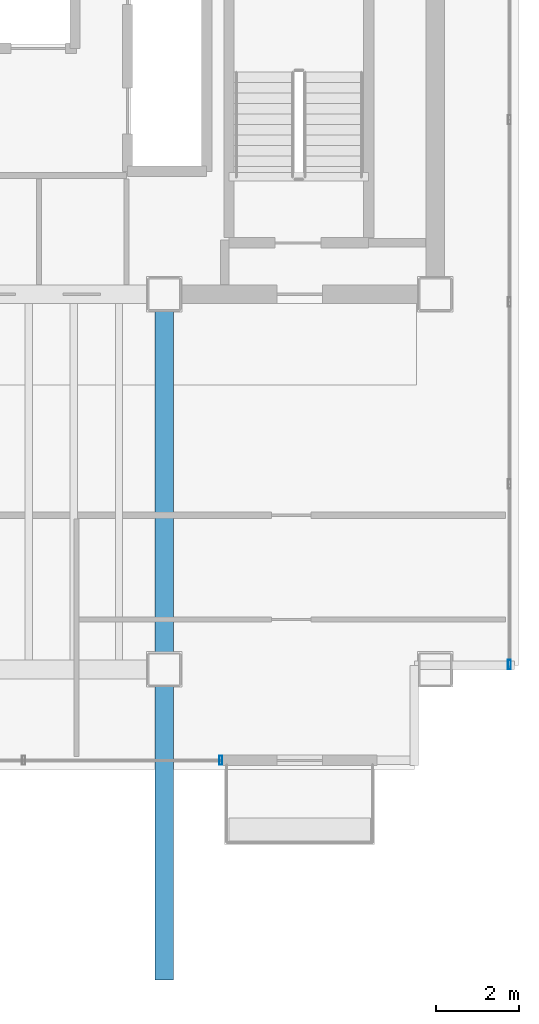
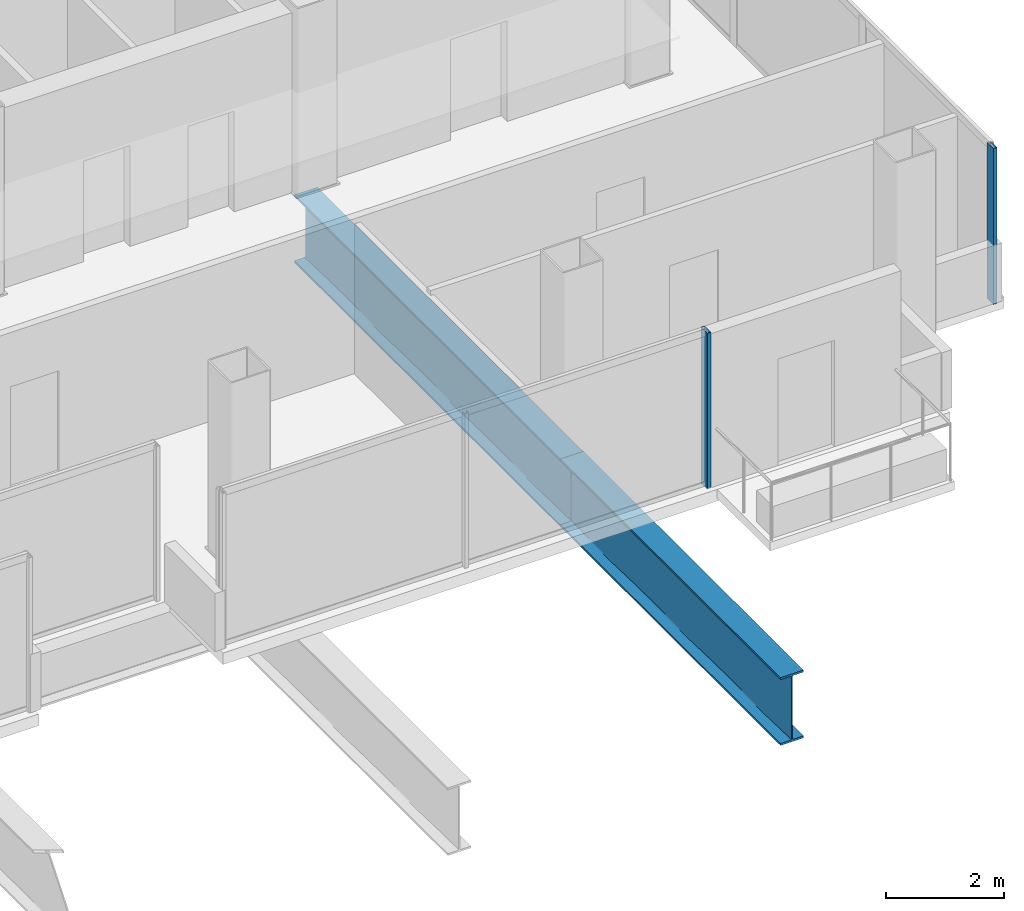
# One storey, part 12 of 19: 2 beams, 2 members, 2 elements without a shape of their own.
"""IFC4 building model written with IfcOpenShell, lengths in metres."""

import ifcopenshell
import ifcopenshell.guid

model = None  # the IFC model being written
_history = None  # IfcOwnerHistory: only IFC2X3 demands one
_inside = {}  # id of a spatial element -> (the spatial element, [elements in it])
_under = {}  # id of a project, library or spatial element -> (it, [spatial elements below it])
_declared = {}  # id of a project -> (the project, [libraries it declares])
_typed = {}  # id of a type object -> (the type object, [elements of that type])
_made_of = {}  # id of a material, layer set ... -> (it, [elements and type objects made of it])


def new_model(schema):
    """Start an empty IFC model of exactly this schema.

    Asked for "IFC4X3", IfcOpenShell would pick the latest addendum, in which some entities
    have other attributes; the version numbers below select the first issue.
    IFC2X3 requires an IfcOwnerHistory on every rooted entity: one is made here for all.
    """
    global model, _history
    if schema == "IFC4X3":
        model = ifcopenshell.file(schema_version=(4, 3, 0, 0))
    else:
        model = ifcopenshell.file(schema=schema)
    _inside.clear()
    _under.clear()
    _declared.clear()
    _typed.clear()
    _made_of.clear()
    _history = None
    if model.schema == "IFC2X3":
        org = make("IfcOrganization", Name="unknown")
        user = make(
            "IfcPersonAndOrganization",
            ThePerson=make("IfcPerson", FamilyName="unknown"),
            TheOrganization=org,
        )
        app = make(
            "IfcApplication",
            ApplicationDeveloper=org,
            Version="unknown",
            ApplicationFullName="unknown",
            ApplicationIdentifier="unknown",
        )
        _history = make(
            "IfcOwnerHistory",
            OwningUser=user,
            OwningApplication=app,
            ChangeAction="ADDED",
            CreationDate=0,
        )
    return model


def make(cls, **values):
    """One entity of the class cls with the attributes given. An attribute that is None is left unset."""
    return model.create_entity(
        cls, **{name: value for name, value in values.items() if value is not None}
    )


def rooted(cls, **values):
    """An entity with a GlobalId (a new one), such as an element, a storey or a relation."""
    return make(cls, GlobalId=ifcopenshell.guid.new(), OwnerHistory=_history, **values)


def si_unit(unit_type, name, prefix=None):
    """IfcSIUnit, for example si_unit("LENGTHUNIT", "METRE", prefix="MILLI")."""
    return make("IfcSIUnit", UnitType=unit_type, Prefix=prefix, Name=name)


def assignment(units):
    """IfcUnitAssignment: the units of a project."""
    return None if units is None else make("IfcUnitAssignment", Units=units)


def point(xyz):
    """IfcCartesianPoint."""
    return None if xyz is None else make("IfcCartesianPoint", Coordinates=xyz)


def direction(xyz):
    """IfcDirection."""
    return None if xyz is None else make("IfcDirection", DirectionRatios=xyz)


def frame(location, z_axis=None, x_axis=None):
    """IfcAxis2Placement3D, a coordinate frame: its origin and axes. An axis left out is left unset."""
    return make(
        "IfcAxis2Placement3D",
        Location=point(location),
        Axis=direction(z_axis),
        RefDirection=direction(x_axis),
    )


def frame_2d(location, x_axis=None):
    """IfcAxis2Placement2D, a coordinate frame in the plane: its origin and x axis."""
    return make(
        "IfcAxis2Placement2D", Location=point(location), RefDirection=direction(x_axis)
    )


def origin():
    """The frame at (0, 0, 0) with its axes left unset."""
    return frame((0.0, 0.0, 0.0))


def origin_2d():
    """The frame at (0, 0) in the plane with its x axis left unset."""
    return frame_2d((0.0, 0.0))


def place(relative_to, where):
    """IfcLocalPlacement: puts the frame where relative to a parent placement (None: the world)."""
    return make(
        "IfcLocalPlacement", PlacementRelTo=relative_to, RelativePlacement=where
    )


def context(
    kind, dimensions, precision=None, world=None, true_north=None, identifier=None
):
    """IfcGeometricRepresentationContext, for example the 3D "Model" context."""
    return make(
        "IfcGeometricRepresentationContext",
        ContextIdentifier=identifier,
        ContextType=kind,
        CoordinateSpaceDimension=dimensions,
        Precision=precision,
        WorldCoordinateSystem=world,
        TrueNorth=true_north,
    )


def subcontext(parent, identifier, kind, view, scale=None):
    """IfcGeometricRepresentationSubContext, for example "Body" below "Model"."""
    return make(
        "IfcGeometricRepresentationSubContext",
        ContextIdentifier=identifier,
        ContextType=kind,
        ParentContext=parent,
        TargetScale=scale,
        TargetView=view,
    )


def project(units=None, contexts=None):
    """IfcProject with its units and contexts."""
    return rooted(
        "IfcProject",
        Name="project",
        RepresentationContexts=contexts,
        UnitsInContext=assignment(units),
    )


def spatial(cls, under=None, at=None, **own):
    """A site, building, storey or space (cls), placed at a placement, below another one or the project."""
    s = rooted(cls, ObjectPlacement=at, **own)
    if under is not None:
        _under.setdefault(under.id(), (under, []))[1].append(s)
    return s


def profile(cls, at=None, kind="AREA", **sizes):
    """A parametric profile (cls). Its sizes go by their IFC names, for example OverallWidth=200.0."""
    return make(cls, ProfileType=kind, Position=at, **sizes)


def hollow_rectangle(**sizes):
    """IfcRectangleHollowProfileDef."""
    return profile("IfcRectangleHollowProfileDef", **sizes)


def i_section(**sizes):
    """IfcIShapeProfileDef."""
    return profile("IfcIShapeProfileDef", **sizes)


def extrude(swept, where, along, depth):
    """IfcExtrudedAreaSolid: the profile swept, set in the frame where, extruded along a direction by depth."""
    return make(
        "IfcExtrudedAreaSolid",
        SweptArea=swept,
        Position=where,
        ExtrudedDirection=direction(along),
        Depth=depth,
    )


def shape(context_of_items, identifier, shape_type, items):
    """IfcShapeRepresentation: the items that make up one representation, for example the "Body"."""
    return make(
        "IfcShapeRepresentation",
        ContextOfItems=context_of_items,
        RepresentationIdentifier=identifier,
        RepresentationType=shape_type,
        Items=items,
    )


def material(Name=None, Category=None):
    """IfcMaterial."""
    return make("IfcMaterial", Name=Name, Category=Category)


def material_profile(
    of_material, cross_section, Name=None, Category=None, Priority=None
):
    """IfcMaterialProfile: a cross section and its material."""
    return make(
        "IfcMaterialProfile",
        Name=Name,
        Material=of_material,
        Profile=cross_section,
        Priority=Priority,
        Category=Category,
    )


def profile_set(profiles, Name=None, composite=None):
    """IfcMaterialProfileSet."""
    return make(
        "IfcMaterialProfileSet",
        Name=Name,
        MaterialProfiles=profiles,
        CompositeProfile=composite,
    )


def made_of(thing, what):
    """Note that an element or type object is made of a material, layer set ...; save() writes the relation."""
    if what is not None:
        _made_of.setdefault(what.id(), (what, []))[1].append(thing)
    return thing


def type_object(cls, material=None, **own):
    """A type object (cls), such as IfcWallType, which elements share."""
    return made_of(rooted(cls, **own), material)


def element(
    cls,
    number,
    at=None,
    inside=None,
    cuts=None,
    type_object=None,
    material=None,
    context=None,
    identifier="Body",
    shape_type=None,
    held_by="IfcProductDefinitionShape",
    body=None,
    shapes=None,
    **own,
):
    """One element of the class cls, such as IfcWall. Its Tag is "e" and its number.

    at: its placement. inside: the storey or other place that contains it. cuts: it is an
    opening in that element (IfcRelVoidsElement). A single representation is given by context,
    identifier, shape_type and body (its items); several are given by shapes. held_by: the class
    of the entity that holds the representations. save() writes the other relations.
    """
    e = rooted(cls, Tag="e%d" % number, ObjectPlacement=at, **own)
    if body is not None:
        shapes = [shape(context, identifier, shape_type, body)]
    if shapes is not None:
        e.Representation = make(held_by, Representations=shapes)
    if inside is not None:
        _inside.setdefault(inside.id(), (inside, []))[1].append(e)
    if cuts is not None:
        rooted(
            "IfcRelVoidsElement", RelatingBuildingElement=cuts, RelatedOpeningElement=e
        )
    if type_object is not None:
        _typed.setdefault(type_object.id(), (type_object, []))[1].append(e)
    return made_of(e, material)


def aggregate(whole, parts):
    """IfcRelAggregates: a whole, such as a stair, and the parts it consists of."""
    return rooted("IfcRelAggregates", RelatingObject=whole, RelatedObjects=parts)


def save(model, path):
    """Write the relations noted so far, then the file.

    IfcRelAggregates (storeys below a building ...), IfcRelContainedInSpatialStructure (elements
    in a storey), IfcRelDefinesByType, IfcRelAssociatesMaterial and IfcRelDeclares: one each for
    every whole, place, type object, material and project.
    """
    for whole, parts in _under.values():
        aggregate(whole, parts)
    for where, things in _inside.values():
        rooted(
            "IfcRelContainedInSpatialStructure",
            RelatedElements=things,
            RelatingStructure=where,
        )
    for kind, things in _typed.values():
        rooted("IfcRelDefinesByType", RelatedObjects=things, RelatingType=kind)
    for what, things in _made_of.values():
        rooted("IfcRelAssociatesMaterial", RelatedObjects=things, RelatingMaterial=what)
    for by, libraries in _declared.values():
        rooted("IfcRelDeclares", RelatingContext=by, RelatedDefinitions=libraries)
    model.write(path)


model = new_model("IFC4")

# Units and contexts
model_context = context("Model", 3, precision=1e-05, world=origin(), true_north=direction((0.0, 1.0)))
body_context = subcontext(model_context, "Body", "Model", "MODEL_VIEW")
ifc_project = project(units=[si_unit("LENGTHUNIT", "METRE"), si_unit("AREAUNIT", "SQUARE_METRE"), si_unit("VOLUMEUNIT", "CUBIC_METRE"), si_unit("PLANEANGLEUNIT", "RADIAN"), si_unit("MASSUNIT", "GRAM", prefix="KILO")], contexts=[model_context])

# Site, building, storey
site_placement = place(None, origin())
site = spatial("IfcSite", under=ifc_project, at=site_placement, CompositionType="ELEMENT")
building_placement = place(site_placement, origin())
building = spatial("IfcBuilding", under=site, at=building_placement, Name="Noeulbin Bourse Tower", CompositionType="ELEMENT")
storey_placement = place(building_placement, frame((0.0, 0.0, 257.89990234375)))
storey = spatial("IfcBuildingStorey", under=building, at=storey_placement, Name="L64", CompositionType="ELEMENT", Elevation=257.89990234375)

# Beams
ifc_material_1 = material(Name="Steel S460", Category="steel")
ifc_material_profile_1 = material_profile(ifc_material_1, i_section(OverallWidth=0.449951171875, OverallDepth=1.39990234375, WebThickness=0.02392578125, FlangeThickness=0.0400390625, FilletRadius=0.02392578125, at=origin_2d()), Name="PG-1400x450x24x40", Category="LoadBearing")
ifc_profile_set_1 = profile_set([ifc_material_profile_1], Name="Steel S460")
beam_type = type_object("IfcBeamType", Name="BM-TRF-1400", PredefinedType="USERDEFINED", material=ifc_profile_set_1)
beam_1_placement = place(storey_placement, frame((37.5, 12.550048828125, -0.93994140625), z_axis=(0.0, 1.0, 0.0), x_axis=(-1.0, 0.0, 0.0)))
element("IfcBeam", 1, at=beam_1_placement, inside=storey, type_object=beam_type, Name="Tower Primary Girder NS L64-4.1", ObjectType="GIRDER", PredefinedType="USERDEFINED", context=body_context, shape_type="SweptSolid", body=[
    extrude(i_section(OverallWidth=0.449951171875, OverallDepth=1.39990234375, WebThickness=0.02392578125, FlangeThickness=0.0400390625, FilletRadius=0.02392578125, at=origin_2d()), origin(), (0.0, 0.0, 1.0), 7.449951171875),
])
beam_2_placement = place(storey_placement, frame((37.5, 20.0, -0.93994140625), z_axis=(0.0, 1.0, 0.0), x_axis=(-1.0, 0.0, 0.0)))
element("IfcBeam", 2, at=beam_2_placement, inside=storey, type_object=beam_type, Name="Tower Primary Girder NS L64-4.2", ObjectType="GIRDER", PredefinedType="USERDEFINED", context=body_context, shape_type="SweptSolid", body=[
    extrude(i_section(OverallWidth=0.449951171875, OverallDepth=1.39990234375, WebThickness=0.02392578125, FlangeThickness=0.0400390625, FilletRadius=0.02392578125, at=origin_2d()), origin(), (0.0, 0.0, 1.0), 9.0),
])

# Curtain wall, member
ifc_material_2 = material(Name="High-Selectivity Low-Iron Glazing", Category="glass")
curtain_wall_type = type_object("IfcCurtainWallType", Name="CW-SYS-4", PredefinedType="NOTDEFINED", material=ifc_material_2)
curtain_wall_1_placement = place(storey_placement, origin())
curtain_wall_1 = element("IfcCurtainWall", 3, at=curtain_wall_1_placement, inside=storey, type_object=curtain_wall_type, Name="Unitised Curtain Wall CW-L64-S2", PredefinedType="NOTDEFINED")
ifc_material_3 = material(Name="Anodised Aluminium 6063-T6", Category="aluminium")
ifc_material_profile_2 = material_profile(ifc_material_3, hollow_rectangle(XDim=0.074951171875, YDim=0.219970703125, WallThickness=0.0048828125, InnerFilletRadius=0.00244140625, OuterFilletRadius=0.0048828125, at=origin_2d()), Name="ALU-MULL-75x220x5", Category="LoadBearing")
ifc_profile_set_2 = profile_set([ifc_material_profile_2], Name="Anodised Aluminium 6063-T6")
member_type = type_object("IfcMemberType", Name="CW-SYS-4-MUL", PredefinedType="MULLION", material=ifc_profile_set_2)
member_1_placement = place(storey_placement, frame((38.860107421875, 17.820068359375, -0.02001953125), z_axis=(0.0, 0.0, 1.0), x_axis=(1.0, 0.0, 0.0)))
member_1 = element("IfcMember", 4, at=member_1_placement, type_object=member_type, Name="Curtain Wall Mullion CW-L64-S2-M02", PredefinedType="MULLION", context=body_context, shape_type="SweptSolid", body=[
    extrude(hollow_rectangle(XDim=0.074951171875, YDim=0.219970703125, WallThickness=0.0048828125, InnerFilletRadius=0.00244140625, OuterFilletRadius=0.0048828125, at=origin_2d()), origin(), (0.0, 0.0, 1.0), 3.22021484375),
])
aggregate(curtain_wall_1, [member_1])

curtain_wall_2_placement = place(storey_placement, origin())
curtain_wall_2 = element("IfcCurtainWall", 5, at=curtain_wall_2_placement, inside=storey, type_object=curtain_wall_type, Name="Unitised Curtain Wall CW-L64-E", PredefinedType="NOTDEFINED")
member_2_placement = place(storey_placement, frame((45.780029296875, 20.1201171875, -0.02001953125), z_axis=(0.0, 0.0, 1.0), x_axis=(1.0, 0.0, 0.0)))
member_2 = element("IfcMember", 6, at=member_2_placement, type_object=member_type, Name="Curtain Wall Mullion CW-L64-E-M00", PredefinedType="MULLION", context=body_context, shape_type="SweptSolid", body=[
    extrude(hollow_rectangle(XDim=0.074951171875, YDim=0.219970703125, WallThickness=0.0048828125, InnerFilletRadius=0.00244140625, OuterFilletRadius=0.0048828125, at=origin_2d()), origin(), (0.0, 0.0, 1.0), 3.22021484375),
])
aggregate(curtain_wall_2, [member_2])

save(model, "model.ifc")
